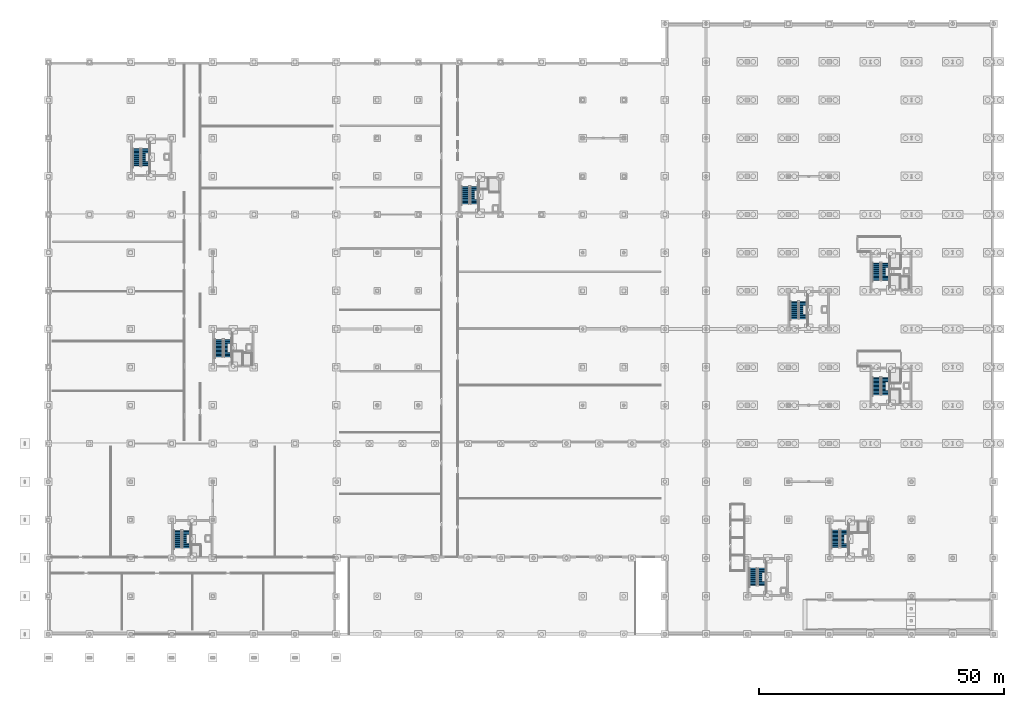
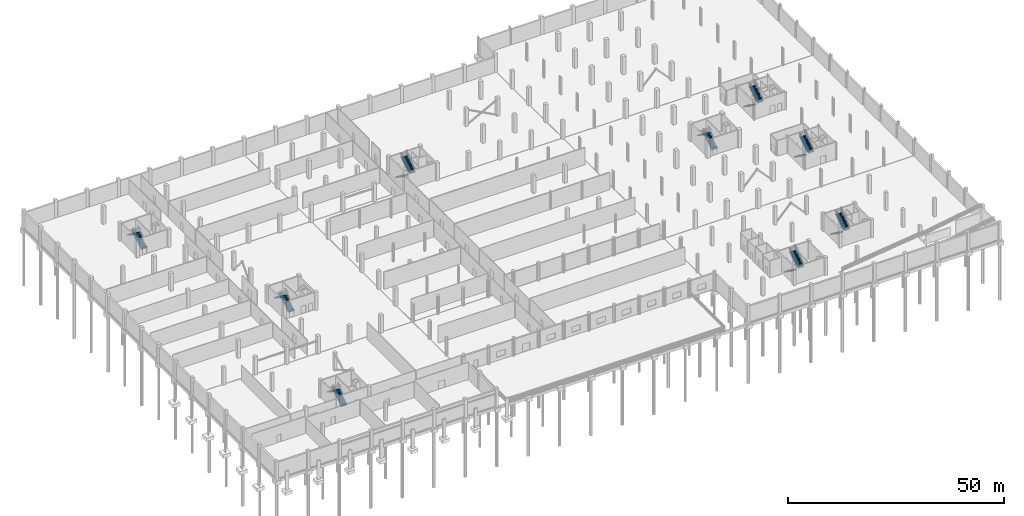
# One storey, part 35 of 48: 18 stair flights, 9 elements without a shape of their own.
"""IFC4 building model written with IfcOpenShell, lengths in metres."""

from ifc_helpers import new_model, si_unit, direction, frame, origin, place, context, subcontext, project, spatial, polyline, outline, extrude, material, type_object, element, aggregate, save


model = new_model("IFC4")

# Units and contexts
model_context = context("Model", 3, precision=1e-05, world=origin(), true_north=direction((0.0, 1.0)))
body_context = subcontext(model_context, "Body", "Model", "MODEL_VIEW")
ifc_project = project(units=[si_unit("LENGTHUNIT", "METRE"), si_unit("AREAUNIT", "SQUARE_METRE"), si_unit("VOLUMEUNIT", "CUBIC_METRE"), si_unit("PLANEANGLEUNIT", "RADIAN"), si_unit("MASSUNIT", "GRAM", prefix="KILO")], contexts=[model_context])

# Site, building, storey
site_placement = place(None, origin())
site = spatial("IfcSite", under=ifc_project, at=site_placement, CompositionType="ELEMENT")
building_placement = place(site_placement, origin())
building = spatial("IfcBuilding", under=site, at=building_placement, Name="Nabrawat Pavilion Hospital", CompositionType="ELEMENT")
storey_placement = place(building_placement, frame((0.0, 0.0, -5.10009765625)))
storey = spatial("IfcBuildingStorey", under=building, at=storey_placement, Name="B1", CompositionType="ELEMENT", Elevation=-5.10009765625)

# Stair, stair flights
ifc_material = material(Name="Concrete C35/45", Category="concrete")
stair_type_1 = type_object("IfcStairType", Name="Core Dogleg Escape Stair Assembly", PredefinedType="HALF_TURN_STAIR", material=ifc_material)
stair_1_placement = place(storey_placement, origin())
stair_1 = element("IfcStair", 1, at=stair_1_placement, inside=storey, type_object=stair_type_1, Name="B1 Emergency Stair and Lift Core 1", PredefinedType="HALF_TURN_STAIR")
stair_flight_type = type_object("IfcStairFlightType", Name="Reinforced Concrete Escape Stair Flight 1600", PredefinedType="STRAIGHT", material=ifc_material)
stair_flight_1_placement = place(storey_placement, frame((28.25, 17.669921875, 0.0), z_axis=(0.0, 0.0, 1.0), x_axis=(0.0, 1.0, 0.0)))
stair_flight_1 = element("IfcStairFlight", 2, at=stair_flight_1_placement, type_object=stair_flight_type, Name="ST-01 flight 1", NumberOfRisers=14, NumberOfTreads=13, PredefinedType="STRAIGHT", RiserHeight=0.182142857, TreadLength=0.275, context=body_context, shape_type="SweptSolid", body=[
    extrude(outline(polyline([(-0.008056640625, 0.0), (0.0, 0.0), (0.0, 0.18212890625), (0.27490234375, 0.18212890625), (0.27490234375, 0.3642578125), (0.550048828125, 0.3642578125), (0.550048828125, 0.54638671875), (0.824951171875, 0.54638671875), (0.824951171875, 0.728515625), (1.10009765625, 0.728515625), (1.10009765625, 0.91064453125), (1.375, 0.91064453125), (1.375, 1.0927734375), (1.64990234375, 1.0927734375), (1.64990234375, 1.27490234375), (1.925048828125, 1.27490234375), (1.925048828125, 1.45703125), (2.199951171875, 1.45703125), (2.199951171875, 1.639404296875), (2.47509765625, 1.639404296875), (2.47509765625, 1.821533203125), (2.75, 1.821533203125), (2.75, 2.003662109375), (3.02490234375, 2.003662109375), (3.02490234375, 2.185791015625), (3.300048828125, 2.185791015625), (3.300048828125, 2.367919921875), (3.574951171875, 2.367919921875), (3.574951171875, 2.550048828125), (3.5830078125, 2.550048828125), (3.5830078125, 2.400146484375), (3.574951171875, 2.18798828125), (0.271484375, 0.0), (-0.008056640625, -0.1201171875), (-0.008056640625, 0.0)])), frame((0.0, 0.800048828125, 0.0), z_axis=(0.0, -1.0, 0.0), x_axis=(1.0, 0.0, 0.0)), (0.0, 0.0, 1.0), 1.60009765625),
])
stair_flight_2_placement = place(storey_placement, frame((26.449951171875, 21.2451171875, 2.550048828125), z_axis=(0.0, 0.0, 1.0), x_axis=(0.0, -1.0, 0.0)))
stair_flight_2 = element("IfcStairFlight", 3, at=stair_flight_2_placement, type_object=stair_flight_type, Name="ST-01 flight 2", NumberOfRisers=14, NumberOfTreads=13, PredefinedType="STRAIGHT", RiserHeight=0.182142857, TreadLength=0.275, context=body_context, shape_type="SweptSolid", body=[
    extrude(outline(polyline([(-0.008056640625, 0.0), (0.0, 0.0), (0.0, 0.18212890625), (0.27490234375, 0.18212890625), (0.27490234375, 0.3642578125), (0.550048828125, 0.3642578125), (0.550048828125, 0.54638671875), (0.824951171875, 0.54638671875), (0.824951171875, 0.728515625), (1.10009765625, 0.728515625), (1.10009765625, 0.91064453125), (1.375, 0.91064453125), (1.375, 1.0927734375), (1.64990234375, 1.0927734375), (1.64990234375, 1.27490234375), (1.925048828125, 1.27490234375), (1.925048828125, 1.45703125), (2.199951171875, 1.45703125), (2.199951171875, 1.639404296875), (2.47509765625, 1.639404296875), (2.47509765625, 1.821533203125), (2.75, 1.821533203125), (2.75, 2.003662109375), (3.02490234375, 2.003662109375), (3.02490234375, 2.185791015625), (3.300048828125, 2.185791015625), (3.300048828125, 2.367919921875), (3.574951171875, 2.367919921875), (3.574951171875, 2.550048828125), (3.5830078125, 2.550048828125), (3.5830078125, 2.400146484375), (3.574951171875, 2.18798828125), (0.271484375, 0.0), (-0.008056640625, -0.1201171875), (-0.008056640625, 0.0)])), frame((0.0, 0.800048828125, 0.0), z_axis=(0.0, -1.0, 0.0), x_axis=(1.0, 0.0, 0.0)), (0.0, 0.0, 1.0), 1.60009765625),
])
aggregate(stair_1, [stair_flight_1, stair_flight_2])

stair_2_placement = place(storey_placement, origin())
stair_2 = element("IfcStair", 4, at=stair_2_placement, inside=storey, type_object=stair_type_1, Name="B1 Surgical Stair and Bed-Lift Core 2", PredefinedType="HALF_TURN_STAIR")
stair_flight_3_placement = place(storey_placement, frame((36.64990234375, 56.669921875, 0.0), z_axis=(0.0, 0.0, 1.0), x_axis=(0.0, 1.0, 0.0)))
stair_flight_3 = element("IfcStairFlight", 5, at=stair_flight_3_placement, type_object=stair_flight_type, Name="ST-02 flight 1", NumberOfRisers=14, NumberOfTreads=13, PredefinedType="STRAIGHT", RiserHeight=0.182142857, TreadLength=0.275, context=body_context, shape_type="SweptSolid", body=[
    extrude(outline(polyline([(-0.008056640625, 0.0), (0.0, 0.0), (0.0, 0.18212890625), (0.27490234375, 0.18212890625), (0.27490234375, 0.3642578125), (0.550048828125, 0.3642578125), (0.550048828125, 0.54638671875), (0.824951171875, 0.54638671875), (0.824951171875, 0.728515625), (1.10009765625, 0.728515625), (1.10009765625, 0.91064453125), (1.375, 0.91064453125), (1.375, 1.0927734375), (1.64990234375, 1.0927734375), (1.64990234375, 1.27490234375), (1.925048828125, 1.27490234375), (1.925048828125, 1.45703125), (2.199951171875, 1.45703125), (2.199951171875, 1.639404296875), (2.47509765625, 1.639404296875), (2.47509765625, 1.821533203125), (2.75, 1.821533203125), (2.75, 2.003662109375), (3.02490234375, 2.003662109375), (3.02490234375, 2.185791015625), (3.300048828125, 2.185791015625), (3.300048828125, 2.367919921875), (3.574951171875, 2.367919921875), (3.574951171875, 2.550048828125), (3.5830078125, 2.550048828125), (3.5830078125, 2.400146484375), (3.574951171875, 2.18798828125), (0.271484375, 0.0), (-0.008056640625, -0.1201171875), (-0.008056640625, 0.0)])), frame((0.0, 0.800048828125, 0.0), z_axis=(0.0, -1.0, 0.0), x_axis=(1.0, 0.0, 0.0)), (0.0, 0.0, 1.0), 1.60009765625),
])
stair_flight_4_placement = place(storey_placement, frame((34.85009765625, 60.2451171875, 2.550048828125), z_axis=(0.0, 0.0, 1.0), x_axis=(0.0, -1.0, 0.0)))
stair_flight_4 = element("IfcStairFlight", 6, at=stair_flight_4_placement, type_object=stair_flight_type, Name="ST-02 flight 2", NumberOfRisers=14, NumberOfTreads=13, PredefinedType="STRAIGHT", RiserHeight=0.182142857, TreadLength=0.275, context=body_context, shape_type="SweptSolid", body=[
    extrude(outline(polyline([(-0.008056640625, 0.0), (0.0, 0.0), (0.0, 0.18212890625), (0.27490234375, 0.18212890625), (0.27490234375, 0.3642578125), (0.550048828125, 0.3642578125), (0.550048828125, 0.54638671875), (0.824951171875, 0.54638671875), (0.824951171875, 0.728515625), (1.10009765625, 0.728515625), (1.10009765625, 0.91064453125), (1.375, 0.91064453125), (1.375, 1.0927734375), (1.64990234375, 1.0927734375), (1.64990234375, 1.27490234375), (1.925048828125, 1.27490234375), (1.925048828125, 1.45703125), (2.199951171875, 1.45703125), (2.199951171875, 1.639404296875), (2.47509765625, 1.639404296875), (2.47509765625, 1.821533203125), (2.75, 1.821533203125), (2.75, 2.003662109375), (3.02490234375, 2.003662109375), (3.02490234375, 2.185791015625), (3.300048828125, 2.185791015625), (3.300048828125, 2.367919921875), (3.574951171875, 2.367919921875), (3.574951171875, 2.550048828125), (3.5830078125, 2.550048828125), (3.5830078125, 2.400146484375), (3.574951171875, 2.18798828125), (0.271484375, 0.0), (-0.008056640625, -0.1201171875), (-0.008056640625, 0.0)])), frame((0.0, 0.800048828125, 0.0), z_axis=(0.0, -1.0, 0.0), x_axis=(1.0, 0.0, 0.0)), (0.0, 0.0, 1.0), 1.60009765625),
])
aggregate(stair_2, [stair_flight_3, stair_flight_4])

stair_3_placement = place(storey_placement, origin())
stair_3 = element("IfcStair", 7, at=stair_3_placement, inside=storey, type_object=stair_type_1, Name="B1 Diagnostic and Main Hall Core 3", PredefinedType="HALF_TURN_STAIR")
stair_flight_5_placement = place(storey_placement, frame((85.25, 91.530029296875, 0.0), z_axis=(0.0, 0.0, 1.0), x_axis=(0.0, -1.0, 0.0)))
stair_flight_5 = element("IfcStairFlight", 8, at=stair_flight_5_placement, type_object=stair_flight_type, Name="ST-03 flight 1", NumberOfRisers=14, NumberOfTreads=13, PredefinedType="STRAIGHT", RiserHeight=0.182142857, TreadLength=0.275, context=body_context, shape_type="SweptSolid", body=[
    extrude(outline(polyline([(-0.008056640625, 0.0), (0.0, 0.0), (0.0, 0.18212890625), (0.27490234375, 0.18212890625), (0.27490234375, 0.3642578125), (0.550048828125, 0.3642578125), (0.550048828125, 0.54638671875), (0.824951171875, 0.54638671875), (0.824951171875, 0.728515625), (1.10009765625, 0.728515625), (1.10009765625, 0.91064453125), (1.375, 0.91064453125), (1.375, 1.0927734375), (1.64990234375, 1.0927734375), (1.64990234375, 1.27490234375), (1.925048828125, 1.27490234375), (1.925048828125, 1.45703125), (2.199951171875, 1.45703125), (2.199951171875, 1.639404296875), (2.47509765625, 1.639404296875), (2.47509765625, 1.821533203125), (2.75, 1.821533203125), (2.75, 2.003662109375), (3.02490234375, 2.003662109375), (3.02490234375, 2.185791015625), (3.300048828125, 2.185791015625), (3.300048828125, 2.367919921875), (3.574951171875, 2.367919921875), (3.574951171875, 2.550048828125), (3.5830078125, 2.550048828125), (3.5830078125, 2.400146484375), (3.574951171875, 2.18798828125), (0.271484375, 0.0), (-0.008056640625, -0.1201171875), (-0.008056640625, 0.0)])), frame((0.0, 0.800048828125, 0.0), z_axis=(0.0, -1.0, 0.0), x_axis=(1.0, 0.0, 0.0)), (0.0, 0.0, 1.0), 1.60009765625),
])
stair_flight_6_placement = place(storey_placement, frame((87.050048828125, 87.955078125, 2.550048828125), z_axis=(0.0, 0.0, 1.0), x_axis=(0.0, 1.0, 0.0)))
stair_flight_6 = element("IfcStairFlight", 9, at=stair_flight_6_placement, type_object=stair_flight_type, Name="ST-03 flight 2", NumberOfRisers=14, NumberOfTreads=13, PredefinedType="STRAIGHT", RiserHeight=0.182142857, TreadLength=0.275, context=body_context, shape_type="SweptSolid", body=[
    extrude(outline(polyline([(-0.008056640625, 0.0), (0.0, 0.0), (0.0, 0.18212890625), (0.27490234375, 0.18212890625), (0.27490234375, 0.3642578125), (0.550048828125, 0.3642578125), (0.550048828125, 0.54638671875), (0.824951171875, 0.54638671875), (0.824951171875, 0.728515625), (1.10009765625, 0.728515625), (1.10009765625, 0.91064453125), (1.375, 0.91064453125), (1.375, 1.0927734375), (1.64990234375, 1.0927734375), (1.64990234375, 1.27490234375), (1.925048828125, 1.27490234375), (1.925048828125, 1.45703125), (2.199951171875, 1.45703125), (2.199951171875, 1.639404296875), (2.47509765625, 1.639404296875), (2.47509765625, 1.821533203125), (2.75, 1.821533203125), (2.75, 2.003662109375), (3.02490234375, 2.003662109375), (3.02490234375, 2.185791015625), (3.300048828125, 2.185791015625), (3.300048828125, 2.367919921875), (3.574951171875, 2.367919921875), (3.574951171875, 2.550048828125), (3.5830078125, 2.550048828125), (3.5830078125, 2.400146484375), (3.574951171875, 2.18798828125), (0.271484375, 0.0), (-0.008056640625, -0.1201171875), (-0.008056640625, 0.0)])), frame((0.0, 0.800048828125, 0.0), z_axis=(0.0, -1.0, 0.0), x_axis=(1.0, 0.0, 0.0)), (0.0, 0.0, 1.0), 1.60009765625),
])
aggregate(stair_3, [stair_flight_5, stair_flight_6])

stair_4_placement = place(storey_placement, origin())
stair_4 = element("IfcStair", 10, at=stair_4_placement, inside=storey, type_object=stair_type_1, Name="B1 Outpatient Clinics Core 4", PredefinedType="HALF_TURN_STAIR")
stair_flight_7_placement = place(storey_placement, frame((160.85009765625, 21.330078125, 0.0), z_axis=(0.0, 0.0, 1.0), x_axis=(0.0, -1.0, 0.0)))
stair_flight_7 = element("IfcStairFlight", 11, at=stair_flight_7_placement, type_object=stair_flight_type, Name="ST-04 flight 1", NumberOfRisers=14, NumberOfTreads=13, PredefinedType="STRAIGHT", RiserHeight=0.182142857, TreadLength=0.275, context=body_context, shape_type="SweptSolid", body=[
    extrude(outline(polyline([(-0.008056640625, 0.0), (0.0, 0.0), (0.0, 0.18212890625), (0.27490234375, 0.18212890625), (0.27490234375, 0.3642578125), (0.550048828125, 0.3642578125), (0.550048828125, 0.54638671875), (0.824951171875, 0.54638671875), (0.824951171875, 0.728515625), (1.10009765625, 0.728515625), (1.10009765625, 0.91064453125), (1.375, 0.91064453125), (1.375, 1.0927734375), (1.64990234375, 1.0927734375), (1.64990234375, 1.27490234375), (1.925048828125, 1.27490234375), (1.925048828125, 1.45703125), (2.199951171875, 1.45703125), (2.199951171875, 1.639404296875), (2.47509765625, 1.639404296875), (2.47509765625, 1.821533203125), (2.75, 1.821533203125), (2.75, 2.003662109375), (3.02490234375, 2.003662109375), (3.02490234375, 2.185791015625), (3.300048828125, 2.185791015625), (3.300048828125, 2.367919921875), (3.574951171875, 2.367919921875), (3.574951171875, 2.550048828125), (3.5830078125, 2.550048828125), (3.5830078125, 2.400146484375), (3.574951171875, 2.18798828125), (0.271484375, 0.0), (-0.008056640625, -0.1201171875), (-0.008056640625, 0.0)])), frame((0.0, 0.800048828125, 0.0), z_axis=(0.0, -1.0, 0.0), x_axis=(1.0, 0.0, 0.0)), (0.0, 0.0, 1.0), 1.60009765625),
])
stair_flight_8_placement = place(storey_placement, frame((162.64990234375, 17.7548828125, 2.550048828125), z_axis=(0.0, 0.0, 1.0), x_axis=(0.0, 1.0, 0.0)))
stair_flight_8 = element("IfcStairFlight", 12, at=stair_flight_8_placement, type_object=stair_flight_type, Name="ST-04 flight 2", NumberOfRisers=14, NumberOfTreads=13, PredefinedType="STRAIGHT", RiserHeight=0.182142857, TreadLength=0.275, context=body_context, shape_type="SweptSolid", body=[
    extrude(outline(polyline([(-0.008056640625, 0.0), (0.0, 0.0), (0.0, 0.18212890625), (0.27490234375, 0.18212890625), (0.27490234375, 0.3642578125), (0.550048828125, 0.3642578125), (0.550048828125, 0.54638671875), (0.824951171875, 0.54638671875), (0.824951171875, 0.728515625), (1.10009765625, 0.728515625), (1.10009765625, 0.91064453125), (1.375, 0.91064453125), (1.375, 1.0927734375), (1.64990234375, 1.0927734375), (1.64990234375, 1.27490234375), (1.925048828125, 1.27490234375), (1.925048828125, 1.45703125), (2.199951171875, 1.45703125), (2.199951171875, 1.639404296875), (2.47509765625, 1.639404296875), (2.47509765625, 1.821533203125), (2.75, 1.821533203125), (2.75, 2.003662109375), (3.02490234375, 2.003662109375), (3.02490234375, 2.185791015625), (3.300048828125, 2.185791015625), (3.300048828125, 2.367919921875), (3.574951171875, 2.367919921875), (3.574951171875, 2.550048828125), (3.5830078125, 2.550048828125), (3.5830078125, 2.400146484375), (3.574951171875, 2.18798828125), (0.271484375, 0.0), (-0.008056640625, -0.1201171875), (-0.008056640625, 0.0)])), frame((0.0, 0.800048828125, 0.0), z_axis=(0.0, -1.0, 0.0), x_axis=(1.0, 0.0, 0.0)), (0.0, 0.0, 1.0), 1.60009765625),
])
aggregate(stair_4, [stair_flight_7, stair_flight_8])

stair_type_2 = type_object("IfcStairType", Name="Ward Upper Dogleg Escape Stair Assembly", PredefinedType="HALF_TURN_STAIR", material=ifc_material)
stair_5_placement = place(storey_placement, origin())
stair_5 = element("IfcStair", 13, at=stair_5_placement, inside=storey, type_object=stair_type_2, Name="B1 Inpatient South Firefighting Core 5", PredefinedType="HALF_TURN_STAIR")
stair_flight_9_placement = place(storey_placement, frame((169.25, 52.530029296875, 0.0), z_axis=(0.0, 0.0, 1.0), x_axis=(0.0, -1.0, 0.0)))
stair_flight_9 = element("IfcStairFlight", 14, at=stair_flight_9_placement, type_object=stair_flight_type, Name="ST-05 flight 1", NumberOfRisers=14, NumberOfTreads=13, PredefinedType="STRAIGHT", RiserHeight=0.182142857, TreadLength=0.275, context=body_context, shape_type="SweptSolid", body=[
    extrude(outline(polyline([(-0.008056640625, 0.0), (0.0, 0.0), (0.0, 0.18212890625), (0.27490234375, 0.18212890625), (0.27490234375, 0.3642578125), (0.550048828125, 0.3642578125), (0.550048828125, 0.54638671875), (0.824951171875, 0.54638671875), (0.824951171875, 0.728515625), (1.10009765625, 0.728515625), (1.10009765625, 0.91064453125), (1.375, 0.91064453125), (1.375, 1.0927734375), (1.64990234375, 1.0927734375), (1.64990234375, 1.27490234375), (1.925048828125, 1.27490234375), (1.925048828125, 1.45703125), (2.199951171875, 1.45703125), (2.199951171875, 1.639404296875), (2.47509765625, 1.639404296875), (2.47509765625, 1.821533203125), (2.75, 1.821533203125), (2.75, 2.003662109375), (3.02490234375, 2.003662109375), (3.02490234375, 2.185791015625), (3.300048828125, 2.185791015625), (3.300048828125, 2.367919921875), (3.574951171875, 2.367919921875), (3.574951171875, 2.550048828125), (3.5830078125, 2.550048828125), (3.5830078125, 2.400146484375), (3.574951171875, 2.18798828125), (0.271484375, 0.0), (-0.008056640625, -0.1201171875), (-0.008056640625, 0.0)])), frame((0.0, 0.800048828125, 0.0), z_axis=(0.0, -1.0, 0.0), x_axis=(1.0, 0.0, 0.0)), (0.0, 0.0, 1.0), 1.60009765625),
])
stair_flight_10_placement = place(storey_placement, frame((171.050048828125, 48.955078125, 2.550048828125), z_axis=(0.0, 0.0, 1.0), x_axis=(0.0, 1.0, 0.0)))
stair_flight_10 = element("IfcStairFlight", 15, at=stair_flight_10_placement, type_object=stair_flight_type, Name="ST-05 flight 2", NumberOfRisers=14, NumberOfTreads=13, PredefinedType="STRAIGHT", RiserHeight=0.182142857, TreadLength=0.275, context=body_context, shape_type="SweptSolid", body=[
    extrude(outline(polyline([(-0.008056640625, 0.0), (0.0, 0.0), (0.0, 0.18212890625), (0.27490234375, 0.18212890625), (0.27490234375, 0.3642578125), (0.550048828125, 0.3642578125), (0.550048828125, 0.54638671875), (0.824951171875, 0.54638671875), (0.824951171875, 0.728515625), (1.10009765625, 0.728515625), (1.10009765625, 0.91064453125), (1.375, 0.91064453125), (1.375, 1.0927734375), (1.64990234375, 1.0927734375), (1.64990234375, 1.27490234375), (1.925048828125, 1.27490234375), (1.925048828125, 1.45703125), (2.199951171875, 1.45703125), (2.199951171875, 1.639404296875), (2.47509765625, 1.639404296875), (2.47509765625, 1.821533203125), (2.75, 1.821533203125), (2.75, 2.003662109375), (3.02490234375, 2.003662109375), (3.02490234375, 2.185791015625), (3.300048828125, 2.185791015625), (3.300048828125, 2.367919921875), (3.574951171875, 2.367919921875), (3.574951171875, 2.550048828125), (3.5830078125, 2.550048828125), (3.5830078125, 2.400146484375), (3.574951171875, 2.18798828125), (0.271484375, 0.0), (-0.008056640625, -0.1201171875), (-0.008056640625, 0.0)])), frame((0.0, 0.800048828125, 0.0), z_axis=(0.0, -1.0, 0.0), x_axis=(1.0, 0.0, 0.0)), (0.0, 0.0, 1.0), 1.60009765625),
])
aggregate(stair_5, [stair_flight_9, stair_flight_10])

stair_6_placement = place(storey_placement, origin())
stair_6 = element("IfcStair", 16, at=stair_6_placement, inside=storey, type_object=stair_type_2, Name="B1 Inpatient North Firefighting Core 6", PredefinedType="HALF_TURN_STAIR")
stair_flight_11_placement = place(storey_placement, frame((169.25, 75.929931640625, 0.0), z_axis=(0.0, 0.0, 1.0), x_axis=(0.0, -1.0, 0.0)))
stair_flight_11 = element("IfcStairFlight", 17, at=stair_flight_11_placement, type_object=stair_flight_type, Name="ST-06 flight 1", NumberOfRisers=14, NumberOfTreads=13, PredefinedType="STRAIGHT", RiserHeight=0.182142857, TreadLength=0.275, context=body_context, shape_type="SweptSolid", body=[
    extrude(outline(polyline([(-0.008056640625, 0.0), (0.0, 0.0), (0.0, 0.18212890625), (0.27490234375, 0.18212890625), (0.27490234375, 0.3642578125), (0.550048828125, 0.3642578125), (0.550048828125, 0.54638671875), (0.824951171875, 0.54638671875), (0.824951171875, 0.728515625), (1.10009765625, 0.728515625), (1.10009765625, 0.91064453125), (1.375, 0.91064453125), (1.375, 1.0927734375), (1.64990234375, 1.0927734375), (1.64990234375, 1.27490234375), (1.925048828125, 1.27490234375), (1.925048828125, 1.45703125), (2.199951171875, 1.45703125), (2.199951171875, 1.639404296875), (2.47509765625, 1.639404296875), (2.47509765625, 1.821533203125), (2.75, 1.821533203125), (2.75, 2.003662109375), (3.02490234375, 2.003662109375), (3.02490234375, 2.185791015625), (3.300048828125, 2.185791015625), (3.300048828125, 2.367919921875), (3.574951171875, 2.367919921875), (3.574951171875, 2.550048828125), (3.5830078125, 2.550048828125), (3.5830078125, 2.400146484375), (3.574951171875, 2.18798828125), (0.271484375, 0.0), (-0.008056640625, -0.1201171875), (-0.008056640625, 0.0)])), frame((0.0, 0.800048828125, 0.0), z_axis=(0.0, -1.0, 0.0), x_axis=(1.0, 0.0, 0.0)), (0.0, 0.0, 1.0), 1.60009765625),
])
stair_flight_12_placement = place(storey_placement, frame((171.050048828125, 72.35498046875, 2.550048828125), z_axis=(0.0, 0.0, 1.0), x_axis=(0.0, 1.0, 0.0)))
stair_flight_12 = element("IfcStairFlight", 18, at=stair_flight_12_placement, type_object=stair_flight_type, Name="ST-06 flight 2", NumberOfRisers=14, NumberOfTreads=13, PredefinedType="STRAIGHT", RiserHeight=0.182142857, TreadLength=0.275, context=body_context, shape_type="SweptSolid", body=[
    extrude(outline(polyline([(-0.008056640625, 0.0), (0.0, 0.0), (0.0, 0.18212890625), (0.27490234375, 0.18212890625), (0.27490234375, 0.3642578125), (0.550048828125, 0.3642578125), (0.550048828125, 0.54638671875), (0.824951171875, 0.54638671875), (0.824951171875, 0.728515625), (1.10009765625, 0.728515625), (1.10009765625, 0.91064453125), (1.375, 0.91064453125), (1.375, 1.0927734375), (1.64990234375, 1.0927734375), (1.64990234375, 1.27490234375), (1.925048828125, 1.27490234375), (1.925048828125, 1.45703125), (2.199951171875, 1.45703125), (2.199951171875, 1.639404296875), (2.47509765625, 1.639404296875), (2.47509765625, 1.821533203125), (2.75, 1.821533203125), (2.75, 2.003662109375), (3.02490234375, 2.003662109375), (3.02490234375, 2.185791015625), (3.300048828125, 2.185791015625), (3.300048828125, 2.367919921875), (3.574951171875, 2.367919921875), (3.574951171875, 2.550048828125), (3.5830078125, 2.550048828125), (3.5830078125, 2.400146484375), (3.574951171875, 2.18798828125), (0.271484375, 0.0), (-0.008056640625, -0.1201171875), (-0.008056640625, 0.0)])), frame((0.0, 0.800048828125, 0.0), z_axis=(0.0, -1.0, 0.0), x_axis=(1.0, 0.0, 0.0)), (0.0, 0.0, 1.0), 1.60009765625),
])
aggregate(stair_6, [stair_flight_11, stair_flight_12])

stair_7_placement = place(storey_placement, origin())
stair_7 = element("IfcStair", 19, at=stair_7_placement, inside=storey, type_object=stair_type_1, Name="B1 Surgical North Escape Stair Core 7", PredefinedType="HALF_TURN_STAIR")
stair_flight_13_placement = place(storey_placement, frame((19.85009765625, 95.669921875, 0.0), z_axis=(0.0, 0.0, 1.0), x_axis=(0.0, 1.0, 0.0)))
stair_flight_13 = element("IfcStairFlight", 20, at=stair_flight_13_placement, type_object=stair_flight_type, Name="ST-07 flight 1", NumberOfRisers=14, NumberOfTreads=13, PredefinedType="STRAIGHT", RiserHeight=0.182142857, TreadLength=0.275, context=body_context, shape_type="SweptSolid", body=[
    extrude(outline(polyline([(-0.008056640625, 0.0), (0.0, 0.0), (0.0, 0.18212890625), (0.27490234375, 0.18212890625), (0.27490234375, 0.3642578125), (0.550048828125, 0.3642578125), (0.550048828125, 0.54638671875), (0.824951171875, 0.54638671875), (0.824951171875, 0.728515625), (1.10009765625, 0.728515625), (1.10009765625, 0.91064453125), (1.375, 0.91064453125), (1.375, 1.0927734375), (1.64990234375, 1.0927734375), (1.64990234375, 1.27490234375), (1.925048828125, 1.27490234375), (1.925048828125, 1.45703125), (2.199951171875, 1.45703125), (2.199951171875, 1.639404296875), (2.47509765625, 1.639404296875), (2.47509765625, 1.821533203125), (2.75, 1.821533203125), (2.75, 2.003662109375), (3.02490234375, 2.003662109375), (3.02490234375, 2.185791015625), (3.300048828125, 2.185791015625), (3.300048828125, 2.367919921875), (3.574951171875, 2.367919921875), (3.574951171875, 2.550048828125), (3.5830078125, 2.550048828125), (3.5830078125, 2.400146484375), (3.574951171875, 2.18798828125), (0.271484375, 0.0), (-0.008056640625, -0.1201171875), (-0.008056640625, 0.0)])), frame((0.0, 0.800048828125, 0.0), z_axis=(0.0, -1.0, 0.0), x_axis=(1.0, 0.0, 0.0)), (0.0, 0.0, 1.0), 1.60009765625),
])
stair_flight_14_placement = place(storey_placement, frame((18.050048828125, 99.2451171875, 2.550048828125), z_axis=(0.0, 0.0, 1.0), x_axis=(0.0, -1.0, 0.0)))
stair_flight_14 = element("IfcStairFlight", 21, at=stair_flight_14_placement, type_object=stair_flight_type, Name="ST-07 flight 2", NumberOfRisers=14, NumberOfTreads=13, PredefinedType="STRAIGHT", RiserHeight=0.182142857, TreadLength=0.275, context=body_context, shape_type="SweptSolid", body=[
    extrude(outline(polyline([(-0.008056640625, 0.0), (0.0, 0.0), (0.0, 0.18212890625), (0.27490234375, 0.18212890625), (0.27490234375, 0.3642578125), (0.550048828125, 0.3642578125), (0.550048828125, 0.54638671875), (0.824951171875, 0.54638671875), (0.824951171875, 0.728515625), (1.10009765625, 0.728515625), (1.10009765625, 0.91064453125), (1.375, 0.91064453125), (1.375, 1.0927734375), (1.64990234375, 1.0927734375), (1.64990234375, 1.27490234375), (1.925048828125, 1.27490234375), (1.925048828125, 1.45703125), (2.199951171875, 1.45703125), (2.199951171875, 1.639404296875), (2.47509765625, 1.639404296875), (2.47509765625, 1.821533203125), (2.75, 1.821533203125), (2.75, 2.003662109375), (3.02490234375, 2.003662109375), (3.02490234375, 2.185791015625), (3.300048828125, 2.185791015625), (3.300048828125, 2.367919921875), (3.574951171875, 2.367919921875), (3.574951171875, 2.550048828125), (3.5830078125, 2.550048828125), (3.5830078125, 2.400146484375), (3.574951171875, 2.18798828125), (0.271484375, 0.0), (-0.008056640625, -0.1201171875), (-0.008056640625, 0.0)])), frame((0.0, 0.800048828125, 0.0), z_axis=(0.0, -1.0, 0.0), x_axis=(1.0, 0.0, 0.0)), (0.0, 0.0, 1.0), 1.60009765625),
])
aggregate(stair_7, [stair_flight_13, stair_flight_14])

stair_8_placement = place(storey_placement, origin())
stair_8 = element("IfcStair", 22, at=stair_8_placement, inside=storey, type_object=stair_type_1, Name="B1 Outpatient West Escape Stair Core 8", PredefinedType="HALF_TURN_STAIR")
stair_flight_15_placement = place(storey_placement, frame((144.050048828125, 13.530029296875, 0.0), z_axis=(0.0, 0.0, 1.0), x_axis=(0.0, -1.0, 0.0)))
stair_flight_15 = element("IfcStairFlight", 23, at=stair_flight_15_placement, type_object=stair_flight_type, Name="ST-08 flight 1", NumberOfRisers=14, NumberOfTreads=13, PredefinedType="STRAIGHT", RiserHeight=0.182142857, TreadLength=0.275, context=body_context, shape_type="SweptSolid", body=[
    extrude(outline(polyline([(-0.008056640625, 0.0), (0.0, 0.0), (0.0, 0.18212890625), (0.27490234375, 0.18212890625), (0.27490234375, 0.3642578125), (0.550048828125, 0.3642578125), (0.550048828125, 0.54638671875), (0.824951171875, 0.54638671875), (0.824951171875, 0.728515625), (1.10009765625, 0.728515625), (1.10009765625, 0.91064453125), (1.375, 0.91064453125), (1.375, 1.0927734375), (1.64990234375, 1.0927734375), (1.64990234375, 1.27490234375), (1.925048828125, 1.27490234375), (1.925048828125, 1.45703125), (2.199951171875, 1.45703125), (2.199951171875, 1.639404296875), (2.47509765625, 1.639404296875), (2.47509765625, 1.821533203125), (2.75, 1.821533203125), (2.75, 2.003662109375), (3.02490234375, 2.003662109375), (3.02490234375, 2.185791015625), (3.300048828125, 2.185791015625), (3.300048828125, 2.367919921875), (3.574951171875, 2.367919921875), (3.574951171875, 2.550048828125), (3.5830078125, 2.550048828125), (3.5830078125, 2.400146484375), (3.574951171875, 2.18798828125), (0.271484375, 0.0), (-0.008056640625, -0.1201171875), (-0.008056640625, 0.0)])), frame((0.0, 0.800048828125, 0.0), z_axis=(0.0, -1.0, 0.0), x_axis=(1.0, 0.0, 0.0)), (0.0, 0.0, 1.0), 1.60009765625),
])
stair_flight_16_placement = place(storey_placement, frame((145.85009765625, 9.955078125, 2.550048828125), z_axis=(0.0, 0.0, 1.0), x_axis=(0.0, 1.0, 0.0)))
stair_flight_16 = element("IfcStairFlight", 24, at=stair_flight_16_placement, type_object=stair_flight_type, Name="ST-08 flight 2", NumberOfRisers=14, NumberOfTreads=13, PredefinedType="STRAIGHT", RiserHeight=0.182142857, TreadLength=0.275, context=body_context, shape_type="SweptSolid", body=[
    extrude(outline(polyline([(-0.008056640625, 0.0), (0.0, 0.0), (0.0, 0.18212890625), (0.27490234375, 0.18212890625), (0.27490234375, 0.3642578125), (0.550048828125, 0.3642578125), (0.550048828125, 0.54638671875), (0.824951171875, 0.54638671875), (0.824951171875, 0.728515625), (1.10009765625, 0.728515625), (1.10009765625, 0.91064453125), (1.375, 0.91064453125), (1.375, 1.0927734375), (1.64990234375, 1.0927734375), (1.64990234375, 1.27490234375), (1.925048828125, 1.27490234375), (1.925048828125, 1.45703125), (2.199951171875, 1.45703125), (2.199951171875, 1.639404296875), (2.47509765625, 1.639404296875), (2.47509765625, 1.821533203125), (2.75, 1.821533203125), (2.75, 2.003662109375), (3.02490234375, 2.003662109375), (3.02490234375, 2.185791015625), (3.300048828125, 2.185791015625), (3.300048828125, 2.367919921875), (3.574951171875, 2.367919921875), (3.574951171875, 2.550048828125), (3.5830078125, 2.550048828125), (3.5830078125, 2.400146484375), (3.574951171875, 2.18798828125), (0.271484375, 0.0), (-0.008056640625, -0.1201171875), (-0.008056640625, 0.0)])), frame((0.0, 0.800048828125, 0.0), z_axis=(0.0, -1.0, 0.0), x_axis=(1.0, 0.0, 0.0)), (0.0, 0.0, 1.0), 1.60009765625),
])
aggregate(stair_8, [stair_flight_15, stair_flight_16])

stair_9_placement = place(storey_placement, origin())
stair_9 = element("IfcStair", 25, at=stair_9_placement, inside=storey, type_object=stair_type_2, Name="B1 Inpatient West Escape Stair Core 9", PredefinedType="HALF_TURN_STAIR")
stair_flight_17_placement = place(storey_placement, frame((154.25, 64.469970703125, 0.0), z_axis=(0.0, 0.0, 1.0), x_axis=(0.0, 1.0, 0.0)))
stair_flight_17 = element("IfcStairFlight", 26, at=stair_flight_17_placement, type_object=stair_flight_type, Name="ST-09 flight 1", NumberOfRisers=14, NumberOfTreads=13, PredefinedType="STRAIGHT", RiserHeight=0.182142857, TreadLength=0.275, context=body_context, shape_type="SweptSolid", body=[
    extrude(outline(polyline([(-0.008056640625, 0.0), (0.0, 0.0), (0.0, 0.18212890625), (0.27490234375, 0.18212890625), (0.27490234375, 0.3642578125), (0.550048828125, 0.3642578125), (0.550048828125, 0.54638671875), (0.824951171875, 0.54638671875), (0.824951171875, 0.728515625), (1.10009765625, 0.728515625), (1.10009765625, 0.91064453125), (1.375, 0.91064453125), (1.375, 1.0927734375), (1.64990234375, 1.0927734375), (1.64990234375, 1.27490234375), (1.925048828125, 1.27490234375), (1.925048828125, 1.45703125), (2.199951171875, 1.45703125), (2.199951171875, 1.639404296875), (2.47509765625, 1.639404296875), (2.47509765625, 1.821533203125), (2.75, 1.821533203125), (2.75, 2.003662109375), (3.02490234375, 2.003662109375), (3.02490234375, 2.185791015625), (3.300048828125, 2.185791015625), (3.300048828125, 2.367919921875), (3.574951171875, 2.367919921875), (3.574951171875, 2.550048828125), (3.5830078125, 2.550048828125), (3.5830078125, 2.400146484375), (3.574951171875, 2.18798828125), (0.271484375, 0.0), (-0.008056640625, -0.1201171875), (-0.008056640625, 0.0)])), frame((0.0, 0.800048828125, 0.0), z_axis=(0.0, -1.0, 0.0), x_axis=(1.0, 0.0, 0.0)), (0.0, 0.0, 1.0), 1.60009765625),
])
stair_flight_18_placement = place(storey_placement, frame((152.449951171875, 68.044921875, 2.550048828125), z_axis=(0.0, 0.0, 1.0), x_axis=(0.0, -1.0, 0.0)))
stair_flight_18 = element("IfcStairFlight", 27, at=stair_flight_18_placement, type_object=stair_flight_type, Name="ST-09 flight 2", NumberOfRisers=14, NumberOfTreads=13, PredefinedType="STRAIGHT", RiserHeight=0.182142857, TreadLength=0.275, context=body_context, shape_type="SweptSolid", body=[
    extrude(outline(polyline([(-0.008056640625, 0.0), (0.0, 0.0), (0.0, 0.18212890625), (0.27490234375, 0.18212890625), (0.27490234375, 0.3642578125), (0.550048828125, 0.3642578125), (0.550048828125, 0.54638671875), (0.824951171875, 0.54638671875), (0.824951171875, 0.728515625), (1.10009765625, 0.728515625), (1.10009765625, 0.91064453125), (1.375, 0.91064453125), (1.375, 1.0927734375), (1.64990234375, 1.0927734375), (1.64990234375, 1.27490234375), (1.925048828125, 1.27490234375), (1.925048828125, 1.45703125), (2.199951171875, 1.45703125), (2.199951171875, 1.639404296875), (2.47509765625, 1.639404296875), (2.47509765625, 1.821533203125), (2.75, 1.821533203125), (2.75, 2.003662109375), (3.02490234375, 2.003662109375), (3.02490234375, 2.185791015625), (3.300048828125, 2.185791015625), (3.300048828125, 2.367919921875), (3.574951171875, 2.367919921875), (3.574951171875, 2.550048828125), (3.5830078125, 2.550048828125), (3.5830078125, 2.400146484375), (3.574951171875, 2.18798828125), (0.271484375, 0.0), (-0.008056640625, -0.1201171875), (-0.008056640625, 0.0)])), frame((0.0, 0.800048828125, 0.0), z_axis=(0.0, -1.0, 0.0), x_axis=(1.0, 0.0, 0.0)), (0.0, 0.0, 1.0), 1.60009765625),
])
aggregate(stair_9, [stair_flight_17, stair_flight_18])

save(model, "model.ifc")
